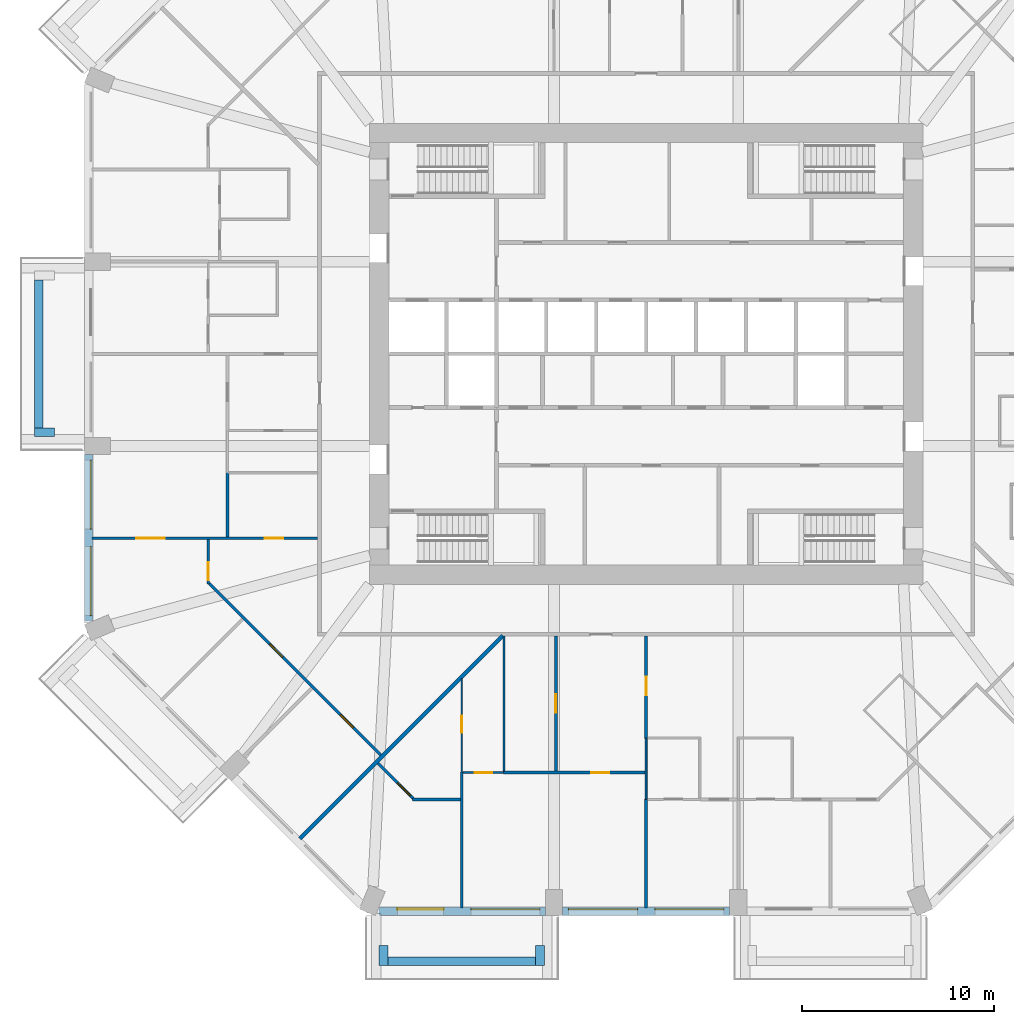
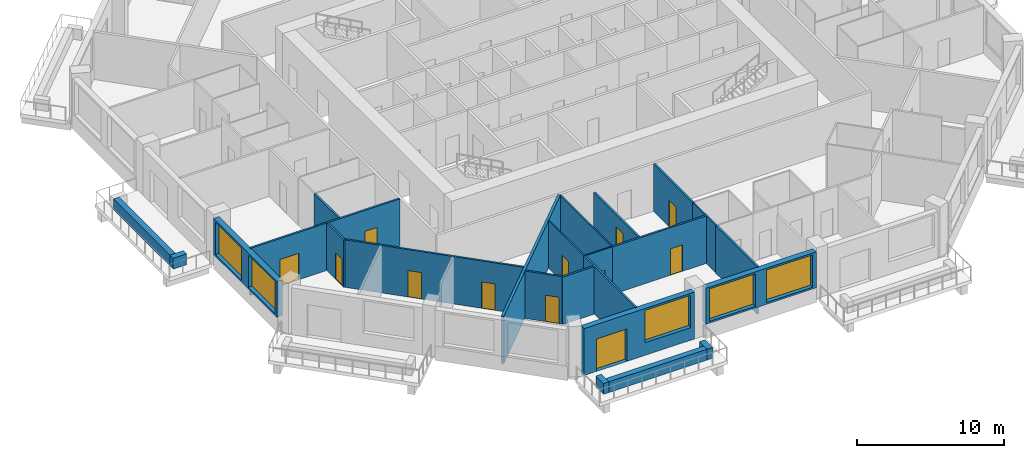
# One storey, part 3 of 13: 24 walls, 12 doors, 5 windows, 17 openings.
"""IFC4 building model written with IfcOpenShell, lengths in metres."""

import ifcopenshell
import ifcopenshell.guid

model = None  # the IFC model being written
_history = None  # IfcOwnerHistory: only IFC2X3 demands one
_inside = {}  # id of a spatial element -> (the spatial element, [elements in it])
_under = {}  # id of a project, library or spatial element -> (it, [spatial elements below it])
_declared = {}  # id of a project -> (the project, [libraries it declares])
_typed = {}  # id of a type object -> (the type object, [elements of that type])
_made_of = {}  # id of a material, layer set ... -> (it, [elements and type objects made of it])


def new_model(schema):
    """Start an empty IFC model of exactly this schema.

    Asked for "IFC4X3", IfcOpenShell would pick the latest addendum, in which some entities
    have other attributes; the version numbers below select the first issue.
    IFC2X3 requires an IfcOwnerHistory on every rooted entity: one is made here for all.
    """
    global model, _history
    if schema == "IFC4X3":
        model = ifcopenshell.file(schema_version=(4, 3, 0, 0))
    else:
        model = ifcopenshell.file(schema=schema)
    _inside.clear()
    _under.clear()
    _declared.clear()
    _typed.clear()
    _made_of.clear()
    _history = None
    if model.schema == "IFC2X3":
        org = make("IfcOrganization", Name="unknown")
        user = make(
            "IfcPersonAndOrganization",
            ThePerson=make("IfcPerson", FamilyName="unknown"),
            TheOrganization=org,
        )
        app = make(
            "IfcApplication",
            ApplicationDeveloper=org,
            Version="unknown",
            ApplicationFullName="unknown",
            ApplicationIdentifier="unknown",
        )
        _history = make(
            "IfcOwnerHistory",
            OwningUser=user,
            OwningApplication=app,
            ChangeAction="ADDED",
            CreationDate=0,
        )
    return model


def make(cls, **values):
    """One entity of the class cls with the attributes given. An attribute that is None is left unset."""
    return model.create_entity(
        cls, **{name: value for name, value in values.items() if value is not None}
    )


def rooted(cls, **values):
    """An entity with a GlobalId (a new one), such as an element, a storey or a relation."""
    return make(cls, GlobalId=ifcopenshell.guid.new(), OwnerHistory=_history, **values)


def si_unit(unit_type, name, prefix=None):
    """IfcSIUnit, for example si_unit("LENGTHUNIT", "METRE", prefix="MILLI")."""
    return make("IfcSIUnit", UnitType=unit_type, Prefix=prefix, Name=name)


def assignment(units):
    """IfcUnitAssignment: the units of a project."""
    return None if units is None else make("IfcUnitAssignment", Units=units)


def point(xyz):
    """IfcCartesianPoint."""
    return None if xyz is None else make("IfcCartesianPoint", Coordinates=xyz)


def direction(xyz):
    """IfcDirection."""
    return None if xyz is None else make("IfcDirection", DirectionRatios=xyz)


def frame(location, z_axis=None, x_axis=None):
    """IfcAxis2Placement3D, a coordinate frame: its origin and axes. An axis left out is left unset."""
    return make(
        "IfcAxis2Placement3D",
        Location=point(location),
        Axis=direction(z_axis),
        RefDirection=direction(x_axis),
    )


def frame_2d(location, x_axis=None):
    """IfcAxis2Placement2D, a coordinate frame in the plane: its origin and x axis."""
    return make(
        "IfcAxis2Placement2D", Location=point(location), RefDirection=direction(x_axis)
    )


def origin():
    """The frame at (0, 0, 0) with its axes left unset."""
    return frame((0.0, 0.0, 0.0))


def place(relative_to, where):
    """IfcLocalPlacement: puts the frame where relative to a parent placement (None: the world)."""
    return make(
        "IfcLocalPlacement", PlacementRelTo=relative_to, RelativePlacement=where
    )


def context(
    kind, dimensions, precision=None, world=None, true_north=None, identifier=None
):
    """IfcGeometricRepresentationContext, for example the 3D "Model" context."""
    return make(
        "IfcGeometricRepresentationContext",
        ContextIdentifier=identifier,
        ContextType=kind,
        CoordinateSpaceDimension=dimensions,
        Precision=precision,
        WorldCoordinateSystem=world,
        TrueNorth=true_north,
    )


def subcontext(parent, identifier, kind, view, scale=None):
    """IfcGeometricRepresentationSubContext, for example "Body" below "Model"."""
    return make(
        "IfcGeometricRepresentationSubContext",
        ContextIdentifier=identifier,
        ContextType=kind,
        ParentContext=parent,
        TargetScale=scale,
        TargetView=view,
    )


def project(units=None, contexts=None):
    """IfcProject with its units and contexts."""
    return rooted(
        "IfcProject",
        Name="project",
        RepresentationContexts=contexts,
        UnitsInContext=assignment(units),
    )


def spatial(cls, under=None, at=None, **own):
    """A site, building, storey or space (cls), placed at a placement, below another one or the project."""
    s = rooted(cls, ObjectPlacement=at, **own)
    if under is not None:
        _under.setdefault(under.id(), (under, []))[1].append(s)
    return s


def profile(cls, at=None, kind="AREA", **sizes):
    """A parametric profile (cls). Its sizes go by their IFC names, for example OverallWidth=200.0."""
    return make(cls, ProfileType=kind, Position=at, **sizes)


def rectangle(**sizes):
    """IfcRectangleProfileDef."""
    return profile("IfcRectangleProfileDef", **sizes)


def extrude(swept, where, along, depth):
    """IfcExtrudedAreaSolid: the profile swept, set in the frame where, extruded along a direction by depth."""
    return make(
        "IfcExtrudedAreaSolid",
        SweptArea=swept,
        Position=where,
        ExtrudedDirection=direction(along),
        Depth=depth,
    )


def shape(context_of_items, identifier, shape_type, items):
    """IfcShapeRepresentation: the items that make up one representation, for example the "Body"."""
    return make(
        "IfcShapeRepresentation",
        ContextOfItems=context_of_items,
        RepresentationIdentifier=identifier,
        RepresentationType=shape_type,
        Items=items,
    )


def material(Name=None, Category=None):
    """IfcMaterial."""
    return make("IfcMaterial", Name=Name, Category=Category)


def layer(
    of_material, thickness, ventilated=None, Name=None, Category=None, Priority=None
):
    """IfcMaterialLayer: one layer of a wall or slab, of a material (None: an air gap)."""
    return make(
        "IfcMaterialLayer",
        Material=of_material,
        LayerThickness=thickness,
        IsVentilated=ventilated,
        Name=Name,
        Category=Category,
        Priority=Priority,
    )


def layer_set(layers, Name=None):
    """IfcMaterialLayerSet."""
    return make("IfcMaterialLayerSet", MaterialLayers=layers, LayerSetName=Name)


def made_of(thing, what):
    """Note that an element or type object is made of a material, layer set ...; save() writes the relation."""
    if what is not None:
        _made_of.setdefault(what.id(), (what, []))[1].append(thing)
    return thing


def type_object(cls, material=None, **own):
    """A type object (cls), such as IfcWallType, which elements share."""
    return made_of(rooted(cls, **own), material)


def element(
    cls,
    number,
    at=None,
    inside=None,
    cuts=None,
    type_object=None,
    material=None,
    context=None,
    identifier="Body",
    shape_type=None,
    held_by="IfcProductDefinitionShape",
    body=None,
    shapes=None,
    **own,
):
    """One element of the class cls, such as IfcWall. Its Tag is "e" and its number.

    at: its placement. inside: the storey or other place that contains it. cuts: it is an
    opening in that element (IfcRelVoidsElement). A single representation is given by context,
    identifier, shape_type and body (its items); several are given by shapes. held_by: the class
    of the entity that holds the representations. save() writes the other relations.
    """
    e = rooted(cls, Tag="e%d" % number, ObjectPlacement=at, **own)
    if body is not None:
        shapes = [shape(context, identifier, shape_type, body)]
    if shapes is not None:
        e.Representation = make(held_by, Representations=shapes)
    if inside is not None:
        _inside.setdefault(inside.id(), (inside, []))[1].append(e)
    if cuts is not None:
        rooted(
            "IfcRelVoidsElement", RelatingBuildingElement=cuts, RelatedOpeningElement=e
        )
    if type_object is not None:
        _typed.setdefault(type_object.id(), (type_object, []))[1].append(e)
    return made_of(e, material)


def fill(opening, filler):
    """IfcRelFillsElement: the door or window that sits in an opening."""
    return rooted(
        "IfcRelFillsElement",
        RelatingOpeningElement=opening,
        RelatedBuildingElement=filler,
    )


def aggregate(whole, parts):
    """IfcRelAggregates: a whole, such as a stair, and the parts it consists of."""
    return rooted("IfcRelAggregates", RelatingObject=whole, RelatedObjects=parts)


def save(model, path):
    """Write the relations noted so far, then the file.

    IfcRelAggregates (storeys below a building ...), IfcRelContainedInSpatialStructure (elements
    in a storey), IfcRelDefinesByType, IfcRelAssociatesMaterial and IfcRelDeclares: one each for
    every whole, place, type object, material and project.
    """
    for whole, parts in _under.values():
        aggregate(whole, parts)
    for where, things in _inside.values():
        rooted(
            "IfcRelContainedInSpatialStructure",
            RelatedElements=things,
            RelatingStructure=where,
        )
    for kind, things in _typed.values():
        rooted("IfcRelDefinesByType", RelatedObjects=things, RelatingType=kind)
    for what, things in _made_of.values():
        rooted("IfcRelAssociatesMaterial", RelatedObjects=things, RelatingMaterial=what)
    for by, libraries in _declared.values():
        rooted("IfcRelDeclares", RelatingContext=by, RelatedDefinitions=libraries)
    model.write(path)


model = new_model("IFC4")

# Units and contexts
model_context = context("Model", 3, precision=1e-05, world=origin(), true_north=direction((0.0, 1.0)))
body_context = subcontext(model_context, "Body", "Model", "MODEL_VIEW")
ifc_project = project(units=[si_unit("LENGTHUNIT", "METRE"), si_unit("AREAUNIT", "SQUARE_METRE"), si_unit("VOLUMEUNIT", "CUBIC_METRE"), si_unit("PLANEANGLEUNIT", "RADIAN"), si_unit("MASSUNIT", "GRAM", prefix="KILO")], contexts=[model_context])

# Site, building, storey
site_placement = place(None, origin())
site = spatial("IfcSite", under=ifc_project, at=site_placement, CompositionType="ELEMENT")
building_placement = place(site_placement, origin())
building = spatial("IfcBuilding", under=site, at=building_placement, Name="Msitu Wima Residences", CompositionType="ELEMENT")
storey_placement = place(building_placement, frame((0.0, 0.0, 75.89990234375)))
storey = spatial("IfcBuildingStorey", under=building, at=storey_placement, Name="L17", CompositionType="ELEMENT", Elevation=75.89990234375)

# Walls
ifc_material_1 = material(Name="Facing brick")
ifc_layer_1 = layer(ifc_material_1, 0.06494140625, Name="Facing brick")
ifc_material_2 = material(Name="Concrete C40/50", Category="concrete")
ifc_layer_2 = layer(ifc_material_2, 0.156005859375, Name="Concrete C40/50")
ifc_material_3 = material(Name="Waterproofing membrane")
ifc_layer_3 = layer(ifc_material_3, 0.00390625, Name="Waterproofing membrane")
ifc_material_4 = material(Name="Planting soil and planting")
ifc_layer_4 = layer(ifc_material_4, 0.22509765625, Name="Planting soil and planting")
ifc_layer_set_1 = layer_set([ifc_layer_1, ifc_layer_2, ifc_layer_3, ifc_layer_4], Name="Concrete C40/50")
wall_type_1 = type_object("IfcWallType", Name="Balcony planter PLANTER PL450", PredefinedType="USERDEFINED", material=ifc_layer_set_1)
wall_1_placement = place(storey_placement, frame((-31.625, 3.85009765625, 0.0), z_axis=(0.0, 0.0, 1.0), x_axis=(0.0, -1.0, 0.0)))
element("IfcWall", 1, at=wall_1_placement, inside=storey, type_object=wall_type_1, Name="Balcony planter W1 L17", ObjectType="PLANTER", PredefinedType="USERDEFINED", context=body_context, shape_type="SweptSolid", body=[
    extrude(rectangle(XDim=7.7001953125, YDim=0.449951171875, at=frame_2d((3.85009765625, 0.0))), origin(), (0.0, 0.0, 1.0), 0.900146484375),
])
wall_2_placement = place(storey_placement, frame((-30.800048828125, -4.074951171875, 0.0), z_axis=(0.0, 0.0, 1.0), x_axis=(-1.0, 0.0, 0.0)))
element("IfcWall", 2, at=wall_2_placement, inside=storey, type_object=wall_type_1, Name="Balcony planter W1 L17", ObjectType="PLANTER", PredefinedType="USERDEFINED", context=body_context, shape_type="SweptSolid", body=[
    extrude(rectangle(XDim=1.050048828125, YDim=0.449951171875, at=frame_2d((0.52490234375, 0.0))), origin(), (0.0, 0.0, 1.0), 0.900146484375),
])
wall_3_placement = place(storey_placement, frame((-13.449951171875, -31.625, 0.0), z_axis=(0.0, 0.0, 1.0), x_axis=(1.0, 0.0, 0.0)))
element("IfcWall", 3, at=wall_3_placement, inside=storey, type_object=wall_type_1, Name="Balcony planter S0 L17", ObjectType="PLANTER", PredefinedType="USERDEFINED", context=body_context, shape_type="SweptSolid", body=[
    extrude(rectangle(XDim=7.699951171875, YDim=0.449951171875, at=frame_2d((3.85009765625, 0.0))), origin(), (0.0, 0.0, 1.0), 0.900146484375),
])
for number, where, z_axis, x_axis, name in (
    (4, (-13.675048828125, -30.800048828125, 0.0), (0.0, 0.0, 1.0), (0.0, -1.0, 0.0), "Balcony planter S0 L17"),
    (5, (-5.52490234375, -30.800048828125, 0.0), (0.0, 0.0, 1.0), (0.0, -1.0, 0.0), "Balcony planter S0 L17"),
):
    element("IfcWall", number, at=place(storey_placement, frame(where, z_axis=z_axis, x_axis=x_axis)), inside=storey, type_object=wall_type_1, Name=name, ObjectType="PLANTER", PredefinedType="USERDEFINED", context=body_context, shape_type="SweptSolid", body=[
        extrude(rectangle(XDim=1.050048828125, YDim=0.449951171875, at=frame_2d((0.52490234375, 0.0))), origin(), (0.0, 0.0, 1.0), 0.900146484375),
    ])

# Wall, openings, windows
ifc_material_5 = material(Name="Brick (red buff mix)", Category="masonry")
ifc_layer_5 = layer(ifc_material_5, 0.449951171875)
ifc_layer_set_2 = layer_set([ifc_layer_5], Name="Brick (red buff mix)")
wall_type_2 = type_object("IfcWallType", Name="Brick infill wall BW450", PredefinedType="SOLIDWALL", material=ifc_layer_set_2)
wall_4_placement = place(storey_placement, frame((-29.02490234375, -5.25, 0.900146484375), z_axis=(0.0, 0.0, 1.0), x_axis=(0.0, -1.0, 0.0)))
wall_4 = element("IfcWall", 6, at=wall_4_placement, inside=storey, type_object=wall_type_2, Name="Brick infill wall L17 W2", PredefinedType="SOLIDWALL", context=body_context, shape_type="SweptSolid", body=[
    extrude(rectangle(XDim=8.662841796875, YDim=0.449951171875, at=frame_2d((4.33154296875, 0.0))), origin(), (0.0, 0.0, 1.0), 3.0),
])
opening_1_placement = place(wall_4_placement, frame((0.281494140625, 0.0, 0.14990234375)))
opening_1 = element("IfcOpeningElement", 7, at=opening_1_placement, cuts=wall_4, Name="Opening W16-17.029", PredefinedType="OPENING", context=body_context, shape_type="SweptSolid", body=[
    extrude(rectangle(XDim=3.60009765625, YDim=2.699951171875, at=frame_2d((1.800048828125, 1.35009765625))), frame((0.0, 0.23486328125, 0.0), z_axis=(0.0, -1.0, 0.0), x_axis=(1.0, 0.0, 0.0)), (0.0, 0.0, 1.0), 0.469970703125),
])
opening_2_placement = place(wall_4_placement, frame((4.781494140625, 0.0, 0.14990234375)))
opening_2 = element("IfcOpeningElement", 8, at=opening_2_placement, cuts=wall_4, Name="Opening W16-17.030", PredefinedType="OPENING", context=body_context, shape_type="SweptSolid", body=[
    extrude(rectangle(XDim=3.60009765625, YDim=2.699951171875, at=frame_2d((1.800048828125, 1.35009765625))), frame((0.0, 0.23486328125, 0.0), z_axis=(0.0, -1.0, 0.0), x_axis=(1.0, 0.0, 0.0)), (0.0, 0.0, 1.0), 0.469970703125),
])
ifc_material_6 = material(Name="Anodised aluminium, bronze finish, clear low-emissivity double glazing", Category="aluminium")
window_type = type_object("IfcWindowType", Name="Window W3600x2700", PartitioningType="DOUBLE_PANEL_VERTICAL", PredefinedType="WINDOW", material=ifc_material_6)
window_1_placement = place(opening_1_placement, origin())
window_1 = element("IfcWindow", 9, at=window_1_placement, inside=storey, type_object=window_type, Name="Window L17 W2.1", OverallHeight=2.699951171875, OverallWidth=3.60009765625, PartitioningType="SINGLE_PANEL", PredefinedType="WINDOW", context=body_context, shape_type="SweptSolid", body=[
    extrude(rectangle(XDim=3.60009765625, YDim=2.699951171875, at=frame_2d((1.800048828125, 1.35009765625))), frame((0.0, 0.135009765625, 0.0), z_axis=(0.0, -1.0, 0.0), x_axis=(1.0, 0.0, 0.0)), (0.0, 0.0, 1.0), 0.06005859375),
])
fill(opening_1, window_1)
window_2_placement = place(opening_2_placement, origin())
window_2 = element("IfcWindow", 10, at=window_2_placement, inside=storey, type_object=window_type, Name="Window L17 W2.2", OverallHeight=2.699951171875, OverallWidth=3.60009765625, PartitioningType="SINGLE_PANEL", PredefinedType="WINDOW", context=body_context, shape_type="SweptSolid", body=[
    extrude(rectangle(XDim=3.60009765625, YDim=2.699951171875, at=frame_2d((1.800048828125, 1.35009765625))), frame((0.0, 0.135009765625, 0.0), z_axis=(0.0, -1.0, 0.0), x_axis=(1.0, 0.0, 0.0)), (0.0, 0.0, 1.0), 0.06005859375),
])
fill(opening_2, window_2)

# Wall, openings, door, window
wall_5_placement = place(storey_placement, frame((-13.912841796875, -29.02490234375, 0.0), z_axis=(0.0, 0.0, 1.0), x_axis=(1.0, 0.0, 0.0)))
wall_5 = element("IfcWall", 11, at=wall_5_placement, inside=storey, type_object=wall_type_2, Name="Brick infill wall L17 S0", PredefinedType="SOLIDWALL", context=body_context, shape_type="SweptSolid", body=[
    extrude(rectangle(XDim=8.662841796875, YDim=0.449951171875, at=frame_2d((4.33154296875, 0.0))), origin(), (0.0, 0.0, 1.0), 3.900146484375),
])
opening_3_placement = place(wall_5_placement, frame((0.9658203125, 0.0, 0.0)))
opening_3 = element("IfcOpeningElement", 12, at=opening_3_placement, cuts=wall_5, Name="Opening D16-17.006", PredefinedType="OPENING", context=body_context, shape_type="SweptSolid", body=[
    extrude(rectangle(XDim=2.39990234375, YDim=2.699951171875, at=frame_2d((1.199951171875, 1.35009765625))), frame((0.0, 0.23486328125, 0.0), z_axis=(0.0, -1.0, 0.0), x_axis=(1.0, 0.0, 0.0)), (0.0, 0.0, 1.0), 0.469970703125),
])
opening_4_placement = place(wall_5_placement, frame((4.781494140625, 0.0, 1.050048828125)))
opening_4 = element("IfcOpeningElement", 13, at=opening_4_placement, cuts=wall_5, Name="Opening W16-17.016", PredefinedType="OPENING", context=body_context, shape_type="SweptSolid", body=[
    extrude(rectangle(XDim=3.60009765625, YDim=2.699951171875, at=frame_2d((1.800048828125, 1.35009765625))), frame((0.0, 0.23486328125, 0.0), z_axis=(0.0, -1.0, 0.0), x_axis=(1.0, 0.0, 0.0)), (0.0, 0.0, 1.0), 0.469970703125),
])
door_type_1 = type_object("IfcDoorType", Name="Balcony door D2400x2700", OperationType="SLIDING_TO_LEFT", PredefinedType="DOOR", material=ifc_material_6)
door_1_placement = place(opening_3_placement, origin())
door_1 = element("IfcDoor", 14, at=door_1_placement, inside=storey, type_object=door_type_1, Name="Balcony door L17 S0", OperationType="SINGLE_SWING_LEFT", OverallHeight=2.699951171875, OverallWidth=2.39990234375, PredefinedType="DOOR", context=body_context, shape_type="SweptSolid", body=[
    extrude(rectangle(XDim=2.39990234375, YDim=2.699951171875, at=frame_2d((1.199951171875, 1.35009765625))), frame((0.0, 0.1298828125, 0.0), z_axis=(0.0, -1.0, 0.0), x_axis=(1.0, 0.0, 0.0)), (0.0, 0.0, 1.0), 0.050048828125),
])
fill(opening_3, door_1)
window_3_placement = place(opening_4_placement, origin())
window_3 = element("IfcWindow", 15, at=window_3_placement, inside=storey, type_object=window_type, Name="Window L17 S0.2", OverallHeight=2.699951171875, OverallWidth=3.60009765625, PartitioningType="SINGLE_PANEL", PredefinedType="WINDOW", context=body_context, shape_type="SweptSolid", body=[
    extrude(rectangle(XDim=3.60009765625, YDim=2.699951171875, at=frame_2d((1.800048828125, 1.35009765625))), frame((0.0, 0.135009765625, 0.0), z_axis=(0.0, -1.0, 0.0), x_axis=(1.0, 0.0, 0.0)), (0.0, 0.0, 1.0), 0.06005859375),
])
fill(opening_4, window_3)

# Wall, openings, windows
wall_6_placement = place(storey_placement, frame((-4.35009765625, -29.02490234375, 0.900146484375), z_axis=(0.0, 0.0, 1.0), x_axis=(1.0, 0.0, 0.0)))
wall_6 = element("IfcWall", 16, at=wall_6_placement, inside=storey, type_object=wall_type_2, Name="Brick infill wall L17 S1", PredefinedType="SOLIDWALL", context=body_context, shape_type="SweptSolid", body=[
    extrude(rectangle(XDim=8.7001953125, YDim=0.449951171875, at=frame_2d((4.35009765625, 0.0))), origin(), (0.0, 0.0, 1.0), 3.0),
])
opening_5_placement = place(wall_6_placement, frame((0.300048828125, 0.0, 0.14990234375)))
opening_5 = element("IfcOpeningElement", 17, at=opening_5_placement, cuts=wall_6, Name="Opening W16-17.017", PredefinedType="OPENING", context=body_context, shape_type="SweptSolid", body=[
    extrude(rectangle(XDim=3.60009765625, YDim=2.699951171875, at=frame_2d((1.800048828125, 1.35009765625))), frame((0.0, 0.23486328125, 0.0), z_axis=(0.0, -1.0, 0.0), x_axis=(1.0, 0.0, 0.0)), (0.0, 0.0, 1.0), 0.469970703125),
])
opening_6_placement = place(wall_6_placement, frame((4.800048828125, 0.0, 0.14990234375)))
opening_6 = element("IfcOpeningElement", 18, at=opening_6_placement, cuts=wall_6, Name="Opening W16-17.018", PredefinedType="OPENING", context=body_context, shape_type="SweptSolid", body=[
    extrude(rectangle(XDim=3.60009765625, YDim=2.699951171875, at=frame_2d((1.800048828125, 1.35009765625))), frame((0.0, 0.23486328125, 0.0), z_axis=(0.0, -1.0, 0.0), x_axis=(1.0, 0.0, 0.0)), (0.0, 0.0, 1.0), 0.469970703125),
])
window_4_placement = place(opening_5_placement, origin())
window_4 = element("IfcWindow", 19, at=window_4_placement, inside=storey, type_object=window_type, Name="Window L17 S1.1", OverallHeight=2.699951171875, OverallWidth=3.60009765625, PartitioningType="SINGLE_PANEL", PredefinedType="WINDOW", context=body_context, shape_type="SweptSolid", body=[
    extrude(rectangle(XDim=3.60009765625, YDim=2.699951171875, at=frame_2d((1.800048828125, 1.35009765625))), frame((0.0, 0.135009765625, 0.0), z_axis=(0.0, -1.0, 0.0), x_axis=(1.0, 0.0, 0.0)), (0.0, 0.0, 1.0), 0.06005859375),
])
fill(opening_5, window_4)
window_5_placement = place(opening_6_placement, origin())
window_5 = element("IfcWindow", 20, at=window_5_placement, inside=storey, type_object=window_type, Name="Window L17 S1.2", OverallHeight=2.699951171875, OverallWidth=3.60009765625, PartitioningType="SINGLE_PANEL", PredefinedType="WINDOW", context=body_context, shape_type="SweptSolid", body=[
    extrude(rectangle(XDim=3.60009765625, YDim=2.699951171875, at=frame_2d((1.800048828125, 1.35009765625))), frame((0.0, 0.135009765625, 0.0), z_axis=(0.0, -1.0, 0.0), x_axis=(1.0, 0.0, 0.0)), (0.0, 0.0, 1.0), 0.06005859375),
])
fill(opening_6, window_5)

# Wall, openings, doors
ifc_material_7 = material(Name="Plaster")
ifc_layer_6 = layer(ifc_material_7, 0.011962890625, Name="Plaster")
ifc_material_8 = material(Name="Concrete blockwork", Category="masonry")
ifc_layer_7 = layer(ifc_material_8, 0.1259765625, Name="Concrete blockwork")
ifc_layer_8 = layer(ifc_material_7, 0.011962890625, Name="Plaster")
ifc_layer_set_3 = layer_set([ifc_layer_6, ifc_layer_7, ifc_layer_8], Name="Concrete blockwork")
wall_type_3 = type_object("IfcWallType", Name="Partition PW150", PredefinedType="PARTITIONING", material=ifc_layer_set_3)
wall_7_placement = place(storey_placement, frame((-28.85498046875, -9.60009765625, 0.0), z_axis=(0.0, 0.0, 1.0), x_axis=(1.0, 0.0, 0.0)))
wall_7 = element("IfcWall", 21, at=wall_7_placement, inside=storey, type_object=wall_type_3, Name="Partition", PredefinedType="PARTITIONING", context=body_context, shape_type="SweptSolid", body=[
    extrude(rectangle(XDim=11.7548828125, YDim=0.14990234375, at=frame_2d((5.87744140625, 0.0))), origin(), (0.0, 0.0, 1.0), 3.9501953125),
])
opening_7_placement = place(wall_7_placement, frame((2.300048828125, 0.0, 0.0)))
opening_7 = element("IfcOpeningElement", 22, at=opening_7_placement, cuts=wall_7, Name="Opening D16-17.054", PredefinedType="OPENING", context=body_context, shape_type="SweptSolid", body=[
    extrude(rectangle(XDim=1.5, YDim=2.199951171875, at=frame_2d((0.75, 1.10009765625))), frame((0.0, 0.0849609375, 0.0), z_axis=(0.0, -1.0, 0.0), x_axis=(1.0, 0.0, 0.0)), (0.0, 0.0, 1.0), 0.169921875),
])
opening_8_placement = place(wall_7_placement, frame((9.0, 0.0, 0.0)))
opening_8 = element("IfcOpeningElement", 23, at=opening_8_placement, cuts=wall_7, Name="Opening D16-17.058", PredefinedType="OPENING", context=body_context, shape_type="SweptSolid", body=[
    extrude(rectangle(XDim=0.949951171875, YDim=2.199951171875, at=frame_2d((0.47509765625, 1.10009765625))), frame((0.0, 0.0849609375, 0.0), z_axis=(0.0, -1.0, 0.0), x_axis=(1.0, 0.0, 0.0)), (0.0, 0.0, 1.0), 0.169921875),
])
ifc_material_9 = material(Name="Timber double door", Category="wood")
door_type_2 = type_object("IfcDoorType", Name="Double door D04 1500x2200", OperationType="DOUBLE_DOOR_SINGLE_SWING", PredefinedType="DOOR", material=ifc_material_9)
door_2_placement = place(opening_7_placement, origin())
door_2 = element("IfcDoor", 24, at=door_2_placement, inside=storey, type_object=door_type_2, Name="Double door", OperationType="DOUBLE_DOOR_SINGLE_SWING", OverallHeight=2.199951171875, OverallWidth=1.5, PredefinedType="DOOR", context=body_context, shape_type="SweptSolid", body=[
    extrude(rectangle(XDim=1.5, YDim=2.199951171875, at=frame_2d((0.75, 1.10009765625))), frame((0.0, 0.02490234375, 0.0), z_axis=(0.0, -1.0, 0.0), x_axis=(1.0, 0.0, 0.0)), (0.0, 0.0, 1.0), 0.050048828125),
])
fill(opening_7, door_2)
ifc_material_10 = material(Name="Timber flush door", Category="wood")
door_type_3 = type_object("IfcDoorType", Name="Room door D12 950x2200", OperationType="SINGLE_SWING_LEFT", PredefinedType="DOOR", material=ifc_material_10)
door_3_placement = place(opening_8_placement, origin())
door_3 = element("IfcDoor", 25, at=door_3_placement, inside=storey, type_object=door_type_3, Name="Room door", OperationType="SINGLE_SWING_RIGHT", OverallHeight=2.199951171875, OverallWidth=0.949951171875, PredefinedType="DOOR", context=body_context, shape_type="SweptSolid", body=[
    extrude(rectangle(XDim=0.949951171875, YDim=2.199951171875, at=frame_2d((0.47509765625, 1.10009765625))), frame((0.0, 0.02490234375, 0.0), z_axis=(0.0, -1.0, 0.0), x_axis=(1.0, 0.0, 0.0)), (0.0, 0.0, 1.0), 0.050048828125),
])
fill(opening_8, door_3)

# Wall, opening, door
wall_8_placement = place(storey_placement, frame((-22.800048828125, -11.98974609375, 0.0), z_axis=(0.0, 0.0, 1.0), x_axis=(0.0, 1.0, 0.0)))
wall_8 = element("IfcWall", 26, at=wall_8_placement, inside=storey, type_object=wall_type_3, Name="Partition", PredefinedType="PARTITIONING", context=body_context, shape_type="SweptSolid", body=[
    extrude(rectangle(XDim=2.314697265625, YDim=0.14990234375, at=frame_2d((1.1572265625, 0.0))), origin(), (0.0, 0.0, 1.0), 3.9501953125),
])
opening_9_placement = place(wall_8_placement, frame((0.199951171875, 0.0, 0.0)))
opening_9 = element("IfcOpeningElement", 27, at=opening_9_placement, cuts=wall_8, Name="Opening D16-17.055", PredefinedType="OPENING", context=body_context, shape_type="SweptSolid", body=[
    extrude(rectangle(XDim=0.949951171875, YDim=2.199951171875, at=frame_2d((0.47509765625, 1.10009765625))), frame((0.0, 0.0849609375, 0.0), z_axis=(0.0, -1.0, 0.0), x_axis=(1.0, 0.0, 0.0)), (0.0, 0.0, 1.0), 0.169921875),
])
door_4_placement = place(opening_9_placement, origin())
door_4 = element("IfcDoor", 28, at=door_4_placement, inside=storey, type_object=door_type_3, Name="Room door", OperationType="SINGLE_SWING_RIGHT", OverallHeight=2.199951171875, OverallWidth=0.949951171875, PredefinedType="DOOR", context=body_context, shape_type="SweptSolid", body=[
    extrude(rectangle(XDim=0.949951171875, YDim=2.199951171875, at=frame_2d((0.47509765625, 1.10009765625))), frame((0.0, 0.02490234375, 0.0), z_axis=(0.0, -1.0, 0.0), x_axis=(1.0, 0.0, 0.0)), (0.0, 0.0, 1.0), 0.050048828125),
])
fill(opening_9, door_4)

# Wall, openings, doors
wall_9_placement = place(storey_placement, frame((-22.7470703125, -11.9677734375, 0.0), z_axis=(0.0, 0.0, 1.0), x_axis=(0.707106781187, -0.707106781187, 0.0)))
wall_9 = element("IfcWall", 29, at=wall_9_placement, inside=storey, type_object=wall_type_3, Name="Partition", PredefinedType="PARTITIONING", context=body_context, shape_type="SweptSolid", body=[
    extrude(rectangle(XDim=12.61328125, YDim=0.14990234375, at=frame_2d((6.306640625, 0.0))), origin(), (0.0, 0.0, 1.0), 3.9501953125),
])
opening_10_placement = place(wall_9_placement, frame((4.449951171875, 0.0, 0.0)))
opening_10 = element("IfcOpeningElement", 30, at=opening_10_placement, cuts=wall_9, Name="Opening D16-17.056", PredefinedType="OPENING", context=body_context, shape_type="SweptSolid", body=[
    extrude(rectangle(XDim=0.949951171875, YDim=2.199951171875, at=frame_2d((0.47509765625, 1.10009765625))), frame((0.0, 0.0849609375, 0.0), z_axis=(0.0, -1.0, 0.0), x_axis=(1.0, 0.0, 0.0)), (0.0, 0.0, 1.0), 0.169921875),
])
opening_11_placement = place(wall_9_placement, frame((9.64990234375, 0.0, 0.0)))
opening_11 = element("IfcOpeningElement", 31, at=opening_11_placement, cuts=wall_9, Name="Opening D16-17.057", PredefinedType="OPENING", context=body_context, shape_type="SweptSolid", body=[
    extrude(rectangle(XDim=0.949951171875, YDim=2.199951171875, at=frame_2d((0.47509765625, 1.10009765625))), frame((0.0, 0.0849609375, 0.0), z_axis=(0.0, -1.0, 0.0), x_axis=(1.0, 0.0, 0.0)), (0.0, 0.0, 1.0), 0.169921875),
])
door_5_placement = place(opening_10_placement, origin())
door_5 = element("IfcDoor", 32, at=door_5_placement, inside=storey, type_object=door_type_3, Name="Room door", OperationType="SINGLE_SWING_RIGHT", OverallHeight=2.199951171875, OverallWidth=0.949951171875, PredefinedType="DOOR", context=body_context, shape_type="SweptSolid", body=[
    extrude(rectangle(XDim=0.949951171875, YDim=2.199951171875, at=frame_2d((0.47509765625, 1.10009765625))), frame((0.0, 0.02490234375, 0.0), z_axis=(0.0, -1.0, 0.0), x_axis=(1.0, 0.0, 0.0)), (0.0, 0.0, 1.0), 0.050048828125),
])
fill(opening_10, door_5)
door_6_placement = place(opening_11_placement, origin())
door_6 = element("IfcDoor", 33, at=door_6_placement, inside=storey, type_object=door_type_3, Name="Room door", OperationType="SINGLE_SWING_RIGHT", OverallHeight=2.199951171875, OverallWidth=0.949951171875, PredefinedType="DOOR", context=body_context, shape_type="SweptSolid", body=[
    extrude(rectangle(XDim=0.949951171875, YDim=2.199951171875, at=frame_2d((0.47509765625, 1.10009765625))), frame((0.0, 0.02490234375, 0.0), z_axis=(0.0, -1.0, 0.0), x_axis=(1.0, 0.0, 0.0)), (0.0, 0.0, 1.0), 0.050048828125),
])
fill(opening_11, door_6)

# Wall
wall_10_placement = place(storey_placement, frame((-21.800048828125, -9.52490234375, 0.0), z_axis=(0.0, 0.0, 1.0), x_axis=(0.0, 1.0, 0.0)))
element("IfcWall", 34, at=wall_10_placement, inside=storey, type_object=wall_type_3, Name="Partition", PredefinedType="PARTITIONING", context=body_context, shape_type="SweptSolid", body=[
    extrude(rectangle(XDim=3.344970703125, YDim=0.14990234375, at=frame_2d((1.67236328125, 0.0))), origin(), (0.0, 0.0, 1.0), 3.9501953125),
])

# Wall, opening, door
wall_11_placement = place(storey_placement, frame((-13.969482421875, -21.310791015625, 0.0), z_axis=(0.0, 0.0, 1.0), x_axis=(0.707059767671, -0.707153791576, 0.0)))
wall_11 = element("IfcWall", 35, at=wall_11_placement, inside=storey, type_object=wall_type_3, Name="Partition", PredefinedType="PARTITIONING", context=body_context, shape_type="SweptSolid", body=[
    extrude(rectangle(XDim=2.5966796875, YDim=0.14990234375, at=frame_2d((1.29833984375, 0.0))), origin(), (0.0, 0.0, 1.0), 3.9501953125),
])
opening_12_placement = place(wall_11_placement, frame((1.449951171875, 0.0, 0.0)))
opening_12 = element("IfcOpeningElement", 36, at=opening_12_placement, cuts=wall_11, Name="Opening D16-17.074", PredefinedType="OPENING", context=body_context, shape_type="SweptSolid", body=[
    extrude(rectangle(XDim=0.949951171875, YDim=2.199951171875, at=frame_2d((0.47509765625, 1.10009765625))), frame((0.0, 0.0849609375, 0.0), z_axis=(0.0, -1.0, 0.0), x_axis=(1.0, 0.0, 0.0)), (0.0, 0.0, 1.0), 0.169921875),
])
door_7_placement = place(opening_12_placement, origin())
door_7 = element("IfcDoor", 37, at=door_7_placement, inside=storey, type_object=door_type_3, Name="Room door", OperationType="SINGLE_SWING_RIGHT", OverallHeight=2.199951171875, OverallWidth=0.949951171875, PredefinedType="DOOR", context=body_context, shape_type="SweptSolid", body=[
    extrude(rectangle(XDim=0.949951171875, YDim=2.199951171875, at=frame_2d((0.47509765625, 1.10009765625))), frame((0.0, 0.02490234375, 0.0), z_axis=(0.0, -1.0, 0.0), x_axis=(1.0, 0.0, 0.0)), (0.0, 0.0, 1.0), 0.050048828125),
])
fill(opening_12, door_7)

# Walls
wall_12_placement = place(storey_placement, frame((-12.155517578125, -23.199951171875, 0.0), z_axis=(0.0, 0.0, 1.0), x_axis=(1.0, 0.0, 0.0)))
element("IfcWall", 38, at=wall_12_placement, inside=storey, type_object=wall_type_3, Name="Partition", PredefinedType="PARTITIONING", context=body_context, shape_type="SweptSolid", body=[
    extrude(rectangle(XDim=2.48046875, YDim=0.14990234375, at=frame_2d((1.240234375, 0.0))), origin(), (0.0, 0.0, 1.0), 3.9501953125),
])
wall_13_placement = place(storey_placement, frame((-9.60009765625, -28.85498046875, 0.0), z_axis=(0.0, 0.0, 1.0), x_axis=(0.0, 1.0, 0.0)))
element("IfcWall", 39, at=wall_13_placement, inside=storey, type_object=wall_type_3, Name="Partition", PredefinedType="PARTITIONING", context=body_context, shape_type="SweptSolid", body=[
    extrude(rectangle(XDim=7.074951171875, YDim=0.14990234375, at=frame_2d((3.53759765625, 0.0))), origin(), (0.0, 0.0, 1.0), 3.9501953125),
])

# Wall, opening, door
wall_14_placement = place(storey_placement, frame((-7.419921875, -21.800048828125, 0.0), z_axis=(0.0, 0.0, 1.0), x_axis=(1.0, 0.0, 0.0)))
wall_14 = element("IfcWall", 40, at=wall_14_placement, inside=storey, type_object=wall_type_3, Name="Partition", PredefinedType="PARTITIONING", context=body_context, shape_type="SweptSolid", body=[
    extrude(rectangle(XDim=7.369873046875, YDim=0.14990234375, at=frame_2d((3.68505859375, 0.0))), origin(), (0.0, 0.0, 1.0), 3.9501953125),
])
opening_13_placement = place(wall_14_placement, frame((4.550048828125, 0.0, 0.0)))
opening_13 = element("IfcOpeningElement", 41, at=opening_13_placement, cuts=wall_14, Name="Opening D16-17.060", PredefinedType="OPENING", context=body_context, shape_type="SweptSolid", body=[
    extrude(rectangle(XDim=0.949951171875, YDim=2.199951171875, at=frame_2d((0.47509765625, 1.10009765625))), frame((0.0, 0.0849609375, 0.0), z_axis=(0.0, -1.0, 0.0), x_axis=(1.0, 0.0, 0.0)), (0.0, 0.0, 1.0), 0.169921875),
])
door_8_placement = place(opening_13_placement, origin())
door_8 = element("IfcDoor", 42, at=door_8_placement, inside=storey, type_object=door_type_3, Name="Room door", OperationType="SINGLE_SWING_LEFT", OverallHeight=2.199951171875, OverallWidth=0.949951171875, PredefinedType="DOOR", context=body_context, shape_type="SweptSolid", body=[
    extrude(rectangle(XDim=0.949951171875, YDim=2.199951171875, at=frame_2d((0.47509765625, 1.10009765625))), frame((0.0, 0.02490234375, 0.0), z_axis=(0.0, -1.0, 0.0), x_axis=(1.0, 0.0, 0.0)), (0.0, 0.0, 1.0), 0.050048828125),
])
fill(opening_13, door_8)

wall_15_placement = place(storey_placement, frame((-4.699951171875, -21.72509765625, 0.0), z_axis=(0.0, 0.0, 1.0), x_axis=(0.0, 1.0, 0.0)))
wall_15 = element("IfcWall", 43, at=wall_15_placement, inside=storey, type_object=wall_type_3, Name="Partition", PredefinedType="PARTITIONING", context=body_context, shape_type="SweptSolid", body=[
    extrude(rectangle(XDim=7.025146484375, YDim=0.14990234375, at=frame_2d((3.5126953125, 0.0))), origin(), (0.0, 0.0, 1.0), 3.2001953125),
])
opening_14_placement = place(wall_15_placement, frame((3.050048828125, 0.0, 0.0)))
opening_14 = element("IfcOpeningElement", 44, at=opening_14_placement, cuts=wall_15, Name="Opening D16-17.068", PredefinedType="OPENING", context=body_context, shape_type="SweptSolid", body=[
    extrude(rectangle(XDim=0.949951171875, YDim=2.199951171875, at=frame_2d((0.47509765625, 1.10009765625))), frame((0.0, 0.0849609375, 0.0), z_axis=(0.0, -1.0, 0.0), x_axis=(1.0, 0.0, 0.0)), (0.0, 0.0, 1.0), 0.169921875),
])
door_9_placement = place(opening_14_placement, origin())
door_9 = element("IfcDoor", 45, at=door_9_placement, inside=storey, type_object=door_type_3, Name="Room door", OperationType="SINGLE_SWING_RIGHT", OverallHeight=2.199951171875, OverallWidth=0.949951171875, PredefinedType="DOOR", context=body_context, shape_type="SweptSolid", body=[
    extrude(rectangle(XDim=0.949951171875, YDim=2.199951171875, at=frame_2d((0.47509765625, 1.10009765625))), frame((0.0, 0.02490234375, 0.0), z_axis=(0.0, -1.0, 0.0), x_axis=(1.0, 0.0, 0.0)), (0.0, 0.0, 1.0), 0.050048828125),
])
fill(opening_14, door_9)

# Wall
wall_16_placement = place(storey_placement, frame((0.0, -28.85498046875, 0.0), z_axis=(0.0, 0.0, 1.0), x_axis=(0.0, 1.0, 0.0)))
element("IfcWall", 46, at=wall_16_placement, inside=storey, type_object=wall_type_3, Name="Partition", PredefinedType="PARTITIONING", context=body_context, shape_type="SweptSolid", body=[
    extrude(rectangle(XDim=5.675048828125, YDim=0.14990234375, at=frame_2d((2.83740234375, 0.0))), origin(), (0.0, 0.0, 1.0), 3.9501953125),
])

# Wall, opening, door
wall_17_placement = place(storey_placement, frame((0.0, -20.02001953125, 0.0), z_axis=(0.0, 0.0, 1.0), x_axis=(0.0, 1.0, 0.0)))
wall_17 = element("IfcWall", 47, at=wall_17_placement, inside=storey, type_object=wall_type_3, Name="Partition", PredefinedType="PARTITIONING", context=body_context, shape_type="SweptSolid", body=[
    extrude(rectangle(XDim=5.320068359375, YDim=0.14990234375, at=frame_2d((2.66015625, 0.0))), origin(), (0.0, 0.0, 1.0), 3.9501953125),
])
opening_15_placement = place(wall_17_placement, frame((2.25, 0.0, 0.0)))
opening_15 = element("IfcOpeningElement", 48, at=opening_15_placement, cuts=wall_17, Name="Opening D16-17.061", PredefinedType="OPENING", context=body_context, shape_type="SweptSolid", body=[
    extrude(rectangle(XDim=0.949951171875, YDim=2.199951171875, at=frame_2d((0.47509765625, 1.10009765625))), frame((0.0, 0.0849609375, 0.0), z_axis=(0.0, -1.0, 0.0), x_axis=(1.0, 0.0, 0.0)), (0.0, 0.0, 1.0), 0.169921875),
])
door_10_placement = place(opening_15_placement, origin())
door_10 = element("IfcDoor", 49, at=door_10_placement, inside=storey, type_object=door_type_3, Name="Room door", OperationType="SINGLE_SWING_LEFT", OverallHeight=2.199951171875, OverallWidth=0.949951171875, PredefinedType="DOOR", context=body_context, shape_type="SweptSolid", body=[
    extrude(rectangle(XDim=0.949951171875, YDim=2.199951171875, at=frame_2d((0.47509765625, 1.10009765625))), frame((0.0, 0.02490234375, 0.0), z_axis=(0.0, -1.0, 0.0), x_axis=(1.0, 0.0, 0.0)), (0.0, 0.0, 1.0), 0.050048828125),
])
fill(opening_15, door_10)

# Wall
ifc_layer_9 = layer(ifc_material_7, 0.011962890625, Name="Plaster")
ifc_material_11 = material(Name="Dense concrete blockwork", Category="masonry")
ifc_layer_10 = layer(ifc_material_11, 0.176025390625, Name="Dense concrete blockwork")
ifc_layer_11 = layer(ifc_material_7, 0.011962890625, Name="Plaster")
ifc_layer_set_4 = layer_set([ifc_layer_9, ifc_layer_10, ifc_layer_11], Name="Dense concrete blockwork")
wall_type_4 = type_object("IfcWallType", Name="Party wall PW200", PredefinedType="PARTITIONING", material=ifc_layer_set_4)
wall_18_placement = place(storey_placement, frame((-18.038818359375, -25.23876953125, 0.0), z_axis=(0.0, 0.0, 1.0), x_axis=(0.707106781187, 0.707106781187, 0.0)))
element("IfcWall", 50, at=wall_18_placement, inside=storey, type_object=wall_type_4, Name="Party wall", PredefinedType="PARTITIONING", context=body_context, shape_type="SweptSolid", body=[
    extrude(rectangle(XDim=14.945556640625, YDim=0.199951171875, at=frame_2d((7.47265625, 0.0))), origin(), (0.0, 0.0, 1.0), 3.9501953125),
])

# Wall, opening, door
ifc_material_12 = material(Name="Ceramic tiles")
ifc_layer_12 = layer(ifc_material_12, 0.008056640625, Name="Ceramic tiles")
ifc_material_13 = material(Name="Moisture-resistant board")
ifc_layer_13 = layer(ifc_material_13, 0.012451171875, Name="Moisture-resistant board")
ifc_material_14 = material(Name="Light-gauge stud framing with mineral wool")
ifc_layer_14 = layer(ifc_material_14, 0.06689453125, Name="Light-gauge stud framing with mineral wool")
ifc_layer_15 = layer(ifc_material_13, 0.012451171875, Name="Moisture-resistant board")
ifc_layer_set_5 = layer_set([ifc_layer_12, ifc_layer_13, ifc_layer_14, ifc_layer_15], Name="Light-gauge stud framing with mineral wool")
wall_type_5 = type_object("IfcWallType", Name="Wet wall PW100", PredefinedType="PARTITIONING", material=ifc_layer_set_5)
wall_19_placement = place(storey_placement, frame((-9.60009765625, -21.780029296875, 0.0), z_axis=(0.0, 0.0, 1.0), x_axis=(0.0, 1.0, 0.0)))
wall_19 = element("IfcWall", 51, at=wall_19_placement, inside=storey, type_object=wall_type_5, Name="Wet wall", PredefinedType="PARTITIONING", context=body_context, shape_type="SweptSolid", body=[
    extrude(rectangle(XDim=4.880126953125, YDim=0.10009765625, at=frame_2d((2.43994140625, 0.0))), origin(), (0.0, 0.0, 1.0), 3.9501953125),
])
opening_16_placement = place(wall_19_placement, frame((2.050048828125, 0.0, 0.0)))
opening_16 = element("IfcOpeningElement", 52, at=opening_16_placement, cuts=wall_19, Name="Opening D16-17.073", PredefinedType="OPENING", context=body_context, shape_type="SweptSolid", body=[
    extrude(rectangle(XDim=0.89990234375, YDim=2.199951171875, at=frame_2d((0.449951171875, 1.10009765625))), frame((0.0, 0.06005859375, 0.0), z_axis=(0.0, -1.0, 0.0), x_axis=(1.0, 0.0, 0.0)), (0.0, 0.0, 1.0), 0.1201171875),
])
ifc_material_15 = material(Name="Timber flush door, moisture resistant", Category="wood")
door_type_4 = type_object("IfcDoorType", Name="Bathroom door D03 900x2200", OperationType="SINGLE_SWING_LEFT", PredefinedType="DOOR", material=ifc_material_15)
door_11_placement = place(opening_16_placement, origin())
door_11 = element("IfcDoor", 53, at=door_11_placement, inside=storey, type_object=door_type_4, Name="Bathroom door", OperationType="SINGLE_SWING_RIGHT", OverallHeight=2.199951171875, OverallWidth=0.89990234375, PredefinedType="DOOR", context=body_context, shape_type="SweptSolid", body=[
    extrude(rectangle(XDim=0.89990234375, YDim=2.199951171875, at=frame_2d((0.449951171875, 1.10009765625))), frame((0.0, 0.02490234375, 0.0), z_axis=(0.0, -1.0, 0.0), x_axis=(1.0, 0.0, 0.0)), (0.0, 0.0, 1.0), 0.050048828125),
])
fill(opening_16, door_11)

wall_20_placement = place(storey_placement, frame((-9.52490234375, -21.800048828125, 0.0), z_axis=(0.0, 0.0, 1.0), x_axis=(1.0, 0.0, 0.0)))
wall_20 = element("IfcWall", 54, at=wall_20_placement, inside=storey, type_object=wall_type_5, Name="Wet wall", PredefinedType="PARTITIONING", context=body_context, shape_type="SweptSolid", body=[
    extrude(rectangle(XDim=2.10498046875, YDim=0.10009765625, at=frame_2d((1.052490234375, 0.0))), origin(), (0.0, 0.0, 1.0), 3.9501953125),
])
opening_17_placement = place(wall_20_placement, frame((0.60009765625, 0.0, 0.0)))
opening_17 = element("IfcOpeningElement", 55, at=opening_17_placement, cuts=wall_20, Name="Opening D16-17.072", PredefinedType="OPENING", context=body_context, shape_type="SweptSolid", body=[
    extrude(rectangle(XDim=0.89990234375, YDim=2.199951171875, at=frame_2d((0.449951171875, 1.10009765625))), frame((0.0, 0.06005859375, 0.0), z_axis=(0.0, -1.0, 0.0), x_axis=(1.0, 0.0, 0.0)), (0.0, 0.0, 1.0), 0.1201171875),
])
door_12_placement = place(opening_17_placement, origin())
door_12 = element("IfcDoor", 56, at=door_12_placement, inside=storey, type_object=door_type_4, Name="Bathroom door", OperationType="SINGLE_SWING_RIGHT", OverallHeight=2.199951171875, OverallWidth=0.89990234375, PredefinedType="DOOR", context=body_context, shape_type="SweptSolid", body=[
    extrude(rectangle(XDim=0.89990234375, YDim=2.199951171875, at=frame_2d((0.449951171875, 1.10009765625))), frame((0.0, 0.02490234375, 0.0), z_axis=(0.0, -1.0, 0.0), x_axis=(1.0, 0.0, 0.0)), (0.0, 0.0, 1.0), 0.050048828125),
])
fill(opening_17, door_12)

# Walls
wall_21_placement = place(storey_placement, frame((-7.39990234375, -21.72509765625, 0.0), z_axis=(0.0, 0.0, 1.0), x_axis=(0.0, 1.0, 0.0)))
element("IfcWall", 57, at=wall_21_placement, inside=storey, type_object=wall_type_5, Name="Wet wall", PredefinedType="PARTITIONING", context=body_context, shape_type="SweptSolid", body=[
    extrude(rectangle(XDim=7.025146484375, YDim=0.10009765625, at=frame_2d((3.5126953125, 0.0))), origin(), (0.0, 0.0, 1.0), 3.9501953125),
])
wall_22_placement = place(storey_placement, frame((0.0, -23.179931640625, 0.0), z_axis=(0.0, 0.0, 1.0), x_axis=(0.0, 1.0, 0.0)))
element("IfcWall", 58, at=wall_22_placement, inside=storey, type_object=wall_type_5, Name="Wet wall", PredefinedType="PARTITIONING", context=body_context, shape_type="SweptSolid", body=[
    extrude(rectangle(XDim=3.159912109375, YDim=0.10009765625, at=frame_2d((1.580078125, 0.0))), origin(), (0.0, 0.0, 1.0), 3.9501953125),
])

save(model, "model.ifc")
